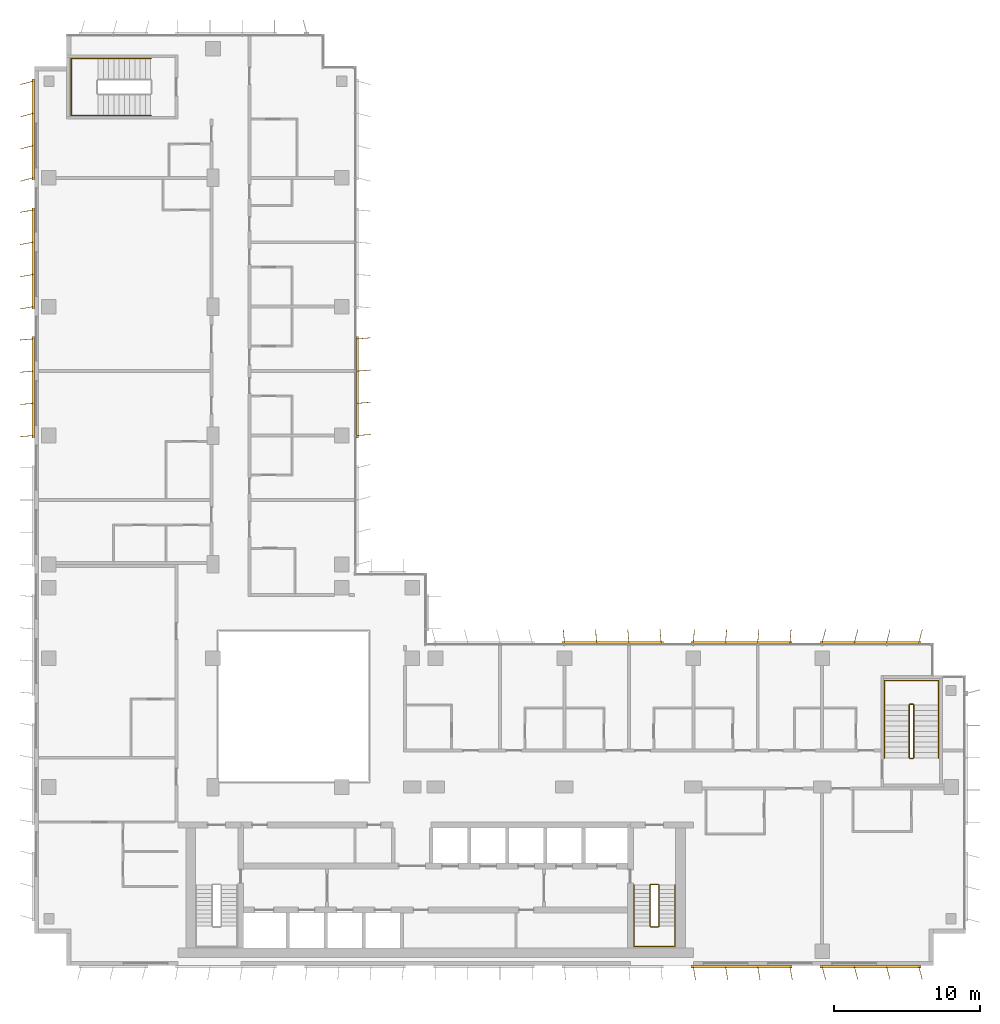
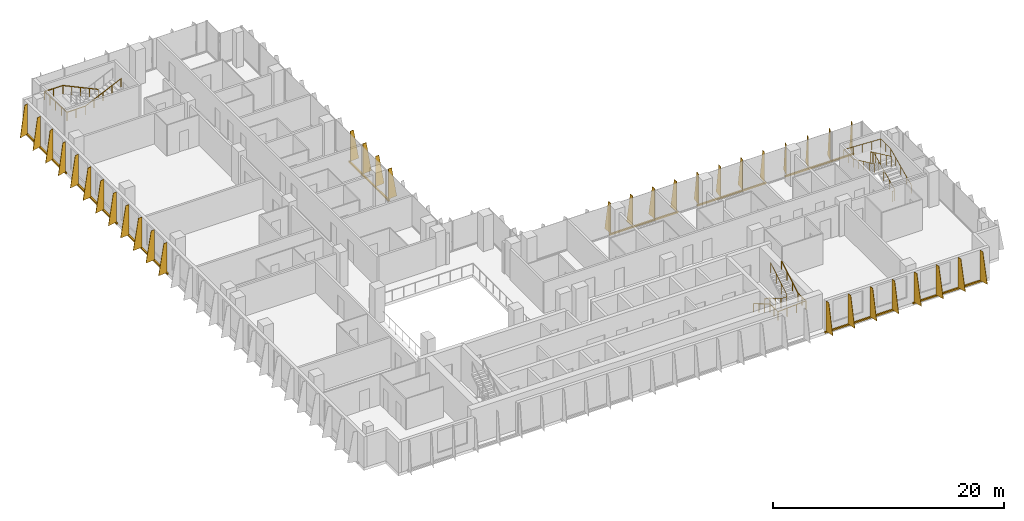
# One storey, part 20 of 21: 9 shading devices, 5 railings.
"""IFC4 building model written with IfcOpenShell, lengths in metres."""

from ifc_helpers import new_model, si_unit, direction, frame, origin, origin_2d, place, context, subcontext, project, spatial, polyline, rectangle, circle, outline, extrude, source, transform, mapped, material, layer, layer_set, type_object, element, save


model = new_model("IFC4")

# Units and contexts
model_context = context("Model", 3, precision=1e-05, world=origin(), true_north=direction((0.0, 1.0)))
body_context = subcontext(model_context, "Body", "Model", "MODEL_VIEW")
ifc_project = project(units=[si_unit("LENGTHUNIT", "METRE"), si_unit("AREAUNIT", "SQUARE_METRE"), si_unit("VOLUMEUNIT", "CUBIC_METRE"), si_unit("PLANEANGLEUNIT", "RADIAN"), si_unit("MASSUNIT", "GRAM", prefix="KILO")], contexts=[model_context])

# Site, building, storey
site_placement = place(None, origin())
site = spatial("IfcSite", under=ifc_project, at=site_placement, CompositionType="ELEMENT")
building_placement = place(site_placement, origin())
building = spatial("IfcBuilding", under=site, at=building_placement, Name="Kemantara Hotel Tower", CompositionType="ELEMENT")
storey_placement = place(building_placement, frame((0.0, 0.0, 219.10009765625)))
storey = spatial("IfcBuildingStorey", under=building, at=storey_placement, Name="L54", CompositionType="ELEMENT", Elevation=219.10009765625)

# Railings
ifc_material_1 = material(Name="Stainless steel balustrade", Category="steel")
railing_type_1 = type_object("IfcRailingType", Name="Stair guard 1100 mm", PredefinedType="GUARDRAIL", material=ifc_material_1)
railing_1_placement = place(storey_placement, frame((42.64990234375, 5.5, 3.699951171875)))
element("IfcRailing", 1, at=railing_1_placement, inside=storey, type_object=railing_type_1, Name="L54 ST2 stair guard 1", PredefinedType="GUARDRAIL", context=body_context, shape_type="SweptSolid", body=[
    extrude(circle(Radius=0.02392578125, at=origin_2d()), frame((0.0, 0.0, 1.076171875), z_axis=(0.0, -0.857242210791, -0.514913383045), x_axis=(1.0, 0.0, 0.0)), (0.0, 0.0, 1.0), 3.266357421875),
    extrude(circle(Radius=0.02392578125, at=origin_2d()), frame((0.0, -2.800048828125, -0.60595703125), z_axis=(-0.273006030465, -0.27434429532, -0.922064485248), x_axis=(0.708833529934, -0.705375805398, 0.0)), (0.0, 0.0, 1.0), 0.182373046875),
    extrude(circle(Radius=0.02392578125, at=origin_2d()), frame((-0.0498046875, -2.85009765625, -0.77392578125), z_axis=(-1.0, 0.0, 0.0), x_axis=(0.0, -1.0, 0.0)), (0.0, 0.0, 1.0), 0.5),
    extrude(circle(Radius=0.02392578125, at=origin_2d()), frame((-0.5498046875, -2.85009765625, -0.77392578125), z_axis=(-0.707106781187, 0.707106781187, 0.0), x_axis=(-0.707106781187, -0.707106781187, 0.0)), (0.0, 0.0, 1.0), 0.07080078125),
    extrude(circle(Radius=0.02392578125, at=origin_2d()), frame((-0.599853515625, -2.800048828125, -0.77392578125), z_axis=(0.0, 0.857242210791, -0.514913383045), x_axis=(-1.0, 0.0, 0.0)), (0.0, 0.0, 1.0), 3.266357421875),
    extrude(circle(Radius=0.02392578125, at=origin_2d()), frame((-0.599853515625, 0.0, -2.4560546875), z_axis=(0.274582412415, 0.274582412415, -0.921525364591), x_axis=(-0.707106781187, 0.707106781187, 0.0)), (0.0, 0.0, 1.0), 0.182373046875),
    extrude(circle(Radius=0.02392578125, at=origin_2d()), frame((-0.5498046875, 0.050048828125, -2.6240234375), z_axis=(1.0, 0.0, 0.0), x_axis=(0.0, 1.0, 0.0)), (0.0, 0.0, 1.0), 0.5),
    extrude(circle(Radius=0.02099609375, at=origin_2d()), origin(), (0.0, 0.0, 1.0), 1.052001953125),
    extrude(circle(Radius=0.02099609375, at=origin_2d()), frame((0.0, -0.933349609375, -0.560546875)), (0.0, 0.0, 1.0), 1.052001953125),
    extrude(circle(Radius=0.02099609375, at=origin_2d()), frame((0.0, -1.86669921875, -1.121337890625)), (0.0, 0.0, 1.0), 1.052001953125),
    extrude(circle(Radius=0.02099609375, at=origin_2d()), frame((0.0, -2.800048828125, -1.681884765625)), (0.0, 0.0, 1.0), 1.052001953125),
    extrude(circle(Radius=0.02099609375, at=origin_2d()), frame((-0.0498046875, -2.85009765625, -1.85009765625)), (0.0, 0.0, 1.0), 1.052001953125),
    extrude(circle(Radius=0.02099609375, at=origin_2d()), frame((-0.5498046875, -2.85009765625, -1.85009765625)), (0.0, 0.0, 1.0), 1.052001953125),
    extrude(circle(Radius=0.02099609375, at=origin_2d()), frame((-0.599853515625, -2.800048828125, -1.85009765625)), (0.0, 0.0, 1.0), 1.052001953125),
    extrude(circle(Radius=0.02099609375, at=origin_2d()), frame((-0.599853515625, -1.86669921875, -2.41064453125)), (0.0, 0.0, 1.0), 1.052001953125),
    extrude(circle(Radius=0.02099609375, at=origin_2d()), frame((-0.599853515625, -0.933349609375, -2.971435546875)), (0.0, 0.0, 1.0), 1.052001953125),
    extrude(circle(Radius=0.02099609375, at=origin_2d()), frame((-0.599853515625, 0.0, -3.531982421875)), (0.0, 0.0, 1.0), 1.052001953125),
    extrude(circle(Radius=0.02099609375, at=origin_2d()), frame((-0.5498046875, 0.050048828125, -3.699951171875)), (0.0, 0.0, 1.0), 1.052001953125),
    extrude(circle(Radius=0.02099609375, at=origin_2d()), frame((-0.0498046875, 0.050048828125, -3.699951171875)), (0.0, 0.0, 1.0), 1.052001953125),
])
railing_2_placement = place(storey_placement, frame((59.75, 14.199951171875, 3.699951171875)))
element("IfcRailing", 2, at=railing_2_placement, inside=storey, type_object=railing_type_1, Name="L54 ST3 stair guard 1", PredefinedType="GUARDRAIL", context=body_context, shape_type="SweptSolid", body=[
    extrude(circle(Radius=0.02392578125, at=origin_2d()), frame((0.0, 0.0, 1.076171875), z_axis=(0.0, 0.906005689286, -0.423265508849), x_axis=(-1.0, 0.0, 0.0)), (0.0, 0.0, 1.0), 3.9736328125),
    extrude(circle(Radius=0.02392578125, at=origin_2d()), frame((0.0, 3.60009765625, -0.60595703125), z_axis=(0.274243871929, 0.274243871929, -0.92172696468), x_axis=(-0.707106781187, 0.707106781187, 0.0)), (0.0, 0.0, 1.0), 0.1826171875),
    extrude(circle(Radius=0.02392578125, at=origin_2d()), frame((0.050048828125, 3.650146484375, -0.77392578125), z_axis=(1.0, 0.0, 0.0), x_axis=(0.0, 1.0, 0.0)), (0.0, 0.0, 1.0), 0.199951171875),
    extrude(circle(Radius=0.02392578125, at=origin_2d()), frame((0.25, 3.650146484375, -0.77392578125), z_axis=(0.707106781187, -0.707106781187, 0.0), x_axis=(0.707106781187, 0.707106781187, 0.0)), (0.0, 0.0, 1.0), 0.07080078125),
    extrude(circle(Radius=0.02392578125, at=origin_2d()), frame((0.300048828125, 3.60009765625, -0.77392578125), z_axis=(0.0, -0.906005689286, -0.423265508849), x_axis=(1.0, 0.0, 0.0)), (0.0, 0.0, 1.0), 3.9736328125),
    extrude(circle(Radius=0.02392578125, at=origin_2d()), frame((0.300048828125, 0.0, -2.4560546875), z_axis=(-0.274582412415, -0.274582412415, -0.921525364591), x_axis=(0.707106781187, -0.707106781187, 0.0)), (0.0, 0.0, 1.0), 0.182373046875),
    extrude(circle(Radius=0.02392578125, at=origin_2d()), frame((0.25, -0.050048828125, -2.6240234375), z_axis=(-1.0, 0.0, 0.0), x_axis=(0.0, -1.0, 0.0)), (0.0, 0.0, 1.0), 0.199951171875),
    extrude(circle(Radius=0.02099609375, at=origin_2d()), origin(), (0.0, 0.0, 1.0), 1.052001953125),
    extrude(circle(Radius=0.02099609375, at=origin_2d()), frame((0.0, 0.89990234375, -0.42041015625)), (0.0, 0.0, 1.0), 1.052001953125),
    extrude(circle(Radius=0.02099609375, at=origin_2d()), frame((0.0, 1.800048828125, -0.8408203125)), (0.0, 0.0, 1.0), 1.052001953125),
    extrude(circle(Radius=0.02099609375, at=origin_2d()), frame((0.0, 2.7001953125, -1.261474609375)), (0.0, 0.0, 1.0), 1.052001953125),
    extrude(circle(Radius=0.02099609375, at=origin_2d()), frame((0.0, 3.60009765625, -1.681884765625)), (0.0, 0.0, 1.0), 1.052001953125),
    extrude(circle(Radius=0.02099609375, at=origin_2d()), frame((0.050048828125, 3.650146484375, -1.85009765625)), (0.0, 0.0, 1.0), 1.052001953125),
    extrude(circle(Radius=0.02099609375, at=origin_2d()), frame((0.25, 3.650146484375, -1.85009765625)), (0.0, 0.0, 1.0), 1.052001953125),
    extrude(circle(Radius=0.02099609375, at=origin_2d()), frame((0.300048828125, 3.60009765625, -1.85009765625)), (0.0, 0.0, 1.0), 1.052001953125),
    extrude(circle(Radius=0.02099609375, at=origin_2d()), frame((0.300048828125, 2.7001953125, -2.2705078125)), (0.0, 0.0, 1.0), 1.052001953125),
    extrude(circle(Radius=0.02099609375, at=origin_2d()), frame((0.300048828125, 1.800048828125, -2.69091796875)), (0.0, 0.0, 1.0), 1.052001953125),
    extrude(circle(Radius=0.02099609375, at=origin_2d()), frame((0.300048828125, 0.89990234375, -3.111572265625)), (0.0, 0.0, 1.0), 1.052001953125),
    extrude(circle(Radius=0.02099609375, at=origin_2d()), frame((0.300048828125, 0.0, -3.531982421875)), (0.0, 0.0, 1.0), 1.052001953125),
    extrude(circle(Radius=0.02099609375, at=origin_2d()), frame((0.25, -0.050048828125, -3.699951171875)), (0.0, 0.0, 1.0), 1.052001953125),
    extrude(circle(Radius=0.02099609375, at=origin_2d()), frame((0.050048828125, -0.050048828125, -3.699951171875)), (0.0, 0.0, 1.0), 1.052001953125),
])
railing_type_2 = type_object("IfcRailingType", Name="Stair handrail 900 mm", PredefinedType="HANDRAIL", material=ifc_material_1)
railing_3_placement = place(storey_placement, frame((40.949951171875, 5.5, 0.16796875)))
element("IfcRailing", 3, at=railing_3_placement, inside=storey, type_object=railing_type_2, Name="L54 ST2 stair handrail 1", PredefinedType="HANDRAIL", context=body_context, shape_type="SweptSolid", body=[
    extrude(circle(Radius=0.02392578125, at=origin_2d()), frame((0.0, 0.0, 0.8759765625), z_axis=(0.0, -0.857242210791, 0.514913383045), x_axis=(1.0, 0.0, 0.0)), (0.0, 0.0, 1.0), 3.266357421875),
    extrude(circle(Radius=0.02392578125, at=origin_2d()), frame((0.0, -2.800048828125, 2.5576171875), z_axis=(0.0, -1.0, 0.0), x_axis=(1.0, 0.0, 0.0)), (0.0, 0.0, 1.0), 1.3798828125),
    extrude(circle(Radius=0.02392578125, at=origin_2d()), frame((0.0, -4.179931640625, 2.5576171875), z_axis=(0.998200367801, 0.0, 0.059966871865), x_axis=(0.0, 1.0, 0.0)), (0.0, 0.0, 1.0), 2.80517578125),
    extrude(circle(Radius=0.02392578125, at=origin_2d()), frame((2.800048828125, -4.179931640625, 2.72607421875), z_axis=(0.0, 1.0, 0.0), x_axis=(-1.0, 0.0, 0.0)), (0.0, 0.0, 1.0), 1.3798828125),
    extrude(circle(Radius=0.02392578125, at=origin_2d()), frame((2.800048828125, -2.800048828125, 2.72607421875), z_axis=(0.0, 0.857242210791, 0.514913383045), x_axis=(-1.0, 0.0, 0.0)), (0.0, 0.0, 1.0), 3.266357421875),
    extrude(circle(Radius=0.02099609375, at=origin_2d()), origin(), (0.0, 0.0, 1.0), 0.851806640625),
    extrude(circle(Radius=0.02099609375, at=origin_2d()), frame((0.0, -0.933349609375, 0.560546875)), (0.0, 0.0, 1.0), 0.851806640625),
    extrude(circle(Radius=0.02099609375, at=origin_2d()), frame((0.0, -1.86669921875, 1.121337890625)), (0.0, 0.0, 1.0), 0.851806640625),
    extrude(circle(Radius=0.02099609375, at=origin_2d()), frame((0.0, -2.800048828125, 1.681884765625)), (0.0, 0.0, 1.0), 0.851806640625),
    extrude(circle(Radius=0.02099609375, at=origin_2d()), frame((0.0, -3.489990234375, 1.681884765625)), (0.0, 0.0, 1.0), 0.851806640625),
    extrude(circle(Radius=0.02099609375, at=origin_2d()), frame((0.0, -4.179931640625, 1.681884765625)), (0.0, 0.0, 1.0), 0.851806640625),
    extrude(circle(Radius=0.02099609375, at=origin_2d()), frame((0.933349609375, -4.179931640625, 1.738037109375)), (0.0, 0.0, 1.0), 0.851806640625),
    extrude(circle(Radius=0.02099609375, at=origin_2d()), frame((1.86669921875, -4.179931640625, 1.7939453125)), (0.0, 0.0, 1.0), 0.851806640625),
    extrude(circle(Radius=0.02099609375, at=origin_2d()), frame((2.800048828125, -4.179931640625, 1.85009765625)), (0.0, 0.0, 1.0), 0.851806640625),
    extrude(circle(Radius=0.02099609375, at=origin_2d()), frame((2.800048828125, -3.489990234375, 1.85009765625)), (0.0, 0.0, 1.0), 0.851806640625),
    extrude(circle(Radius=0.02099609375, at=origin_2d()), frame((2.800048828125, -2.800048828125, 1.85009765625)), (0.0, 0.0, 1.0), 0.851806640625),
    extrude(circle(Radius=0.02099609375, at=origin_2d()), frame((2.800048828125, -1.86669921875, 2.41064453125)), (0.0, 0.0, 1.0), 0.851806640625),
    extrude(circle(Radius=0.02099609375, at=origin_2d()), frame((2.800048828125, -0.933349609375, 2.971435546875)), (0.0, 0.0, 1.0), 0.851806640625),
    extrude(circle(Radius=0.02099609375, at=origin_2d()), frame((2.800048828125, 0.0, 3.531982421875)), (0.0, 0.0, 1.0), 0.851806640625),
])
railing_4_placement = place(storey_placement, frame((61.75, 14.199951171875, 0.16796875)))
element("IfcRailing", 4, at=railing_4_placement, inside=storey, type_object=railing_type_2, Name="L54 ST3 stair handrail 1", PredefinedType="HANDRAIL", context=body_context, shape_type="SweptSolid", body=[
    extrude(circle(Radius=0.02392578125, at=origin_2d()), frame((0.0, 0.0, 0.8759765625), z_axis=(0.0, 0.906005689286, 0.423265508849), x_axis=(-1.0, 0.0, 0.0)), (0.0, 0.0, 1.0), 3.9736328125),
    extrude(circle(Radius=0.02392578125, at=origin_2d()), frame((0.0, 3.60009765625, 2.5576171875), z_axis=(0.0, 1.0, 0.0), x_axis=(-1.0, 0.0, 0.0)), (0.0, 0.0, 1.0), 1.679931640625),
    extrude(circle(Radius=0.02392578125, at=origin_2d()), frame((0.0, 5.280029296875, 2.5576171875), z_axis=(-0.998968132438, 0.0, 0.045416631029), x_axis=(0.0, -1.0, 0.0)), (0.0, 0.0, 1.0), 3.703857421875),
    extrude(circle(Radius=0.02392578125, at=origin_2d()), frame((-3.699951171875, 5.280029296875, 2.72607421875), z_axis=(0.0, -1.0, 0.0), x_axis=(1.0, 0.0, 0.0)), (0.0, 0.0, 1.0), 1.679931640625),
    extrude(circle(Radius=0.02392578125, at=origin_2d()), frame((-3.699951171875, 3.60009765625, 2.72607421875), z_axis=(0.0, -0.906005689286, 0.423265508849), x_axis=(1.0, 0.0, 0.0)), (0.0, 0.0, 1.0), 3.9736328125),
    extrude(circle(Radius=0.02099609375, at=origin_2d()), origin(), (0.0, 0.0, 1.0), 0.851806640625),
    extrude(circle(Radius=0.02099609375, at=origin_2d()), frame((0.0, 0.89990234375, 0.42041015625)), (0.0, 0.0, 1.0), 0.851806640625),
    extrude(circle(Radius=0.02099609375, at=origin_2d()), frame((0.0, 1.800048828125, 0.8408203125)), (0.0, 0.0, 1.0), 0.851806640625),
    extrude(circle(Radius=0.02099609375, at=origin_2d()), frame((0.0, 2.7001953125, 1.261474609375)), (0.0, 0.0, 1.0), 0.851806640625),
    extrude(circle(Radius=0.02099609375, at=origin_2d()), frame((0.0, 3.60009765625, 1.681884765625)), (0.0, 0.0, 1.0), 0.851806640625),
    extrude(circle(Radius=0.02099609375, at=origin_2d()), frame((0.0, 4.43994140625, 1.681884765625)), (0.0, 0.0, 1.0), 0.851806640625),
    extrude(circle(Radius=0.02099609375, at=origin_2d()), frame((0.0, 5.280029296875, 1.681884765625)), (0.0, 0.0, 1.0), 0.851806640625),
    extrude(circle(Radius=0.02099609375, at=origin_2d()), frame((-0.925048828125, 5.280029296875, 1.723876953125)), (0.0, 0.0, 1.0), 0.851806640625),
    extrude(circle(Radius=0.02099609375, at=origin_2d()), frame((-1.85009765625, 5.280029296875, 1.76611328125)), (0.0, 0.0, 1.0), 0.851806640625),
    extrude(circle(Radius=0.02099609375, at=origin_2d()), frame((-2.77490234375, 5.280029296875, 1.80810546875)), (0.0, 0.0, 1.0), 0.851806640625),
    extrude(circle(Radius=0.02099609375, at=origin_2d()), frame((-3.699951171875, 5.280029296875, 1.85009765625)), (0.0, 0.0, 1.0), 0.851806640625),
    extrude(circle(Radius=0.02099609375, at=origin_2d()), frame((-3.699951171875, 4.43994140625, 1.85009765625)), (0.0, 0.0, 1.0), 0.851806640625),
    extrude(circle(Radius=0.02099609375, at=origin_2d()), frame((-3.699951171875, 3.60009765625, 1.85009765625)), (0.0, 0.0, 1.0), 0.851806640625),
    extrude(circle(Radius=0.02099609375, at=origin_2d()), frame((-3.699951171875, 2.7001953125, 2.2705078125)), (0.0, 0.0, 1.0), 0.851806640625),
    extrude(circle(Radius=0.02099609375, at=origin_2d()), frame((-3.699951171875, 1.800048828125, 2.69091796875)), (0.0, 0.0, 1.0), 0.851806640625),
    extrude(circle(Radius=0.02099609375, at=origin_2d()), frame((-3.699951171875, 0.89990234375, 3.111572265625)), (0.0, 0.0, 1.0), 0.851806640625),
    extrude(circle(Radius=0.02099609375, at=origin_2d()), frame((-3.699951171875, 0.0, 3.531982421875)), (0.0, 0.0, 1.0), 0.851806640625),
])
railing_5_placement = place(storey_placement, frame((7.949951171875, 61.949951171875, 0.16796875)))
element("IfcRailing", 5, at=railing_5_placement, inside=storey, type_object=railing_type_2, Name="L54 ST4 stair handrail 1", PredefinedType="HANDRAIL", context=body_context, shape_type="SweptSolid", body=[
    extrude(circle(Radius=0.02392578125, at=origin_2d()), frame((0.0, 0.0, 0.8759765625), z_axis=(-0.905994681025, 0.0, 0.423289071386), x_axis=(0.0, -1.0, 0.0)), (0.0, 0.0, 1.0), 3.973388671875),
    extrude(circle(Radius=0.02392578125, at=origin_2d()), frame((-3.599853515625, 0.0, 2.5576171875), z_axis=(-1.0, 0.0, 0.0), x_axis=(0.0, -1.0, 0.0)), (0.0, 0.0, 1.0), 1.830078125),
    extrude(circle(Radius=0.02392578125, at=origin_2d()), frame((-5.429931640625, 0.0, 2.5576171875), z_axis=(0.0, -0.999071085748, 0.043092523981), x_axis=(1.0, 0.0, 0.0)), (0.0, 0.0, 1.0), 3.903564453125),
    extrude(circle(Radius=0.02392578125, at=origin_2d()), frame((-5.429931640625, -3.89990234375, 2.72607421875), z_axis=(1.0, 0.0, 0.0), x_axis=(0.0, 1.0, 0.0)), (0.0, 0.0, 1.0), 1.830078125),
    extrude(circle(Radius=0.02392578125, at=origin_2d()), frame((-3.599853515625, -3.89990234375, 2.72607421875), z_axis=(0.905994681025, 0.0, 0.423289071386), x_axis=(0.0, 1.0, 0.0)), (0.0, 0.0, 1.0), 3.973388671875),
    extrude(circle(Radius=0.02099609375, at=origin_2d()), origin(), (0.0, 0.0, 1.0), 0.851806640625),
    extrude(circle(Radius=0.02099609375, at=origin_2d()), frame((-0.89990234375, 0.0, 0.42041015625)), (0.0, 0.0, 1.0), 0.851806640625),
    extrude(circle(Radius=0.02099609375, at=origin_2d()), frame((-1.7998046875, 0.0, 0.8408203125)), (0.0, 0.0, 1.0), 0.851806640625),
    extrude(circle(Radius=0.02099609375, at=origin_2d()), frame((-2.699951171875, 0.0, 1.261474609375)), (0.0, 0.0, 1.0), 0.851806640625),
    extrude(circle(Radius=0.02099609375, at=origin_2d()), frame((-3.599853515625, 0.0, 1.681884765625)), (0.0, 0.0, 1.0), 0.851806640625),
    extrude(circle(Radius=0.02099609375, at=origin_2d()), frame((-4.514892578125, 0.0, 1.681884765625)), (0.0, 0.0, 1.0), 0.851806640625),
    extrude(circle(Radius=0.02099609375, at=origin_2d()), frame((-5.429931640625, 0.0, 1.681884765625)), (0.0, 0.0, 1.0), 0.851806640625),
    extrude(circle(Radius=0.02099609375, at=origin_2d()), frame((-5.429931640625, -0.97509765625, 1.723876953125)), (0.0, 0.0, 1.0), 0.851806640625),
    extrude(circle(Radius=0.02099609375, at=origin_2d()), frame((-5.429931640625, -1.949951171875, 1.76611328125)), (0.0, 0.0, 1.0), 0.851806640625),
    extrude(circle(Radius=0.02099609375, at=origin_2d()), frame((-5.429931640625, -2.9248046875, 1.80810546875)), (0.0, 0.0, 1.0), 0.851806640625),
    extrude(circle(Radius=0.02099609375, at=origin_2d()), frame((-5.429931640625, -3.89990234375, 1.85009765625)), (0.0, 0.0, 1.0), 0.851806640625),
    extrude(circle(Radius=0.02099609375, at=origin_2d()), frame((-4.514892578125, -3.89990234375, 1.85009765625)), (0.0, 0.0, 1.0), 0.851806640625),
    extrude(circle(Radius=0.02099609375, at=origin_2d()), frame((-3.599853515625, -3.89990234375, 1.85009765625)), (0.0, 0.0, 1.0), 0.851806640625),
    extrude(circle(Radius=0.02099609375, at=origin_2d()), frame((-2.699951171875, -3.89990234375, 2.2705078125)), (0.0, 0.0, 1.0), 0.851806640625),
    extrude(circle(Radius=0.02099609375, at=origin_2d()), frame((-1.7998046875, -3.89990234375, 2.69091796875)), (0.0, 0.0, 1.0), 0.851806640625),
    extrude(circle(Radius=0.02099609375, at=origin_2d()), frame((-0.89990234375, -3.89990234375, 3.111572265625)), (0.0, 0.0, 1.0), 0.851806640625),
    extrude(circle(Radius=0.02099609375, at=origin_2d()), frame((0.0, -3.89990234375, 3.531982421875)), (0.0, 0.0, 1.0), 0.851806640625),
])

# Shading devices
ifc_material_2 = material(Name="Perforated aluminium plate 4 mm bronze anodised", Category="aluminium")
ifc_layer_1 = layer(ifc_material_2, 0.0400390625)
ifc_layer_set_1 = layer_set([ifc_layer_1], Name="Perforated aluminium plate 4 mm bronze anodised")
shading_device_type_1 = type_object("IfcShadingDeviceType", Name="SCREEN FIN CASSETTE, 4 BLADES AT -5.0 DEG, 3200 HIGH", PredefinedType="USERDEFINED", material=ifc_layer_set_1)
shared_shape_1 = source(origin(), body_context, "Body", "SweptSolid", [
    extrude(rectangle(XDim=6.89990234375, YDim=0.14990234375, at=origin_2d()), frame((3.300048828125, -0.074951171875, -0.14990234375), z_axis=(0.0, 0.0, 1.0), x_axis=(1.0, 0.0, 0.0)), (0.0, 0.0, 1.0), 0.14990234375),
    extrude(outline(polyline([(0.0, 0.0), (0.89990234375, 0.0), (0.35009765625, 3.199951171875), (0.0, 3.199951171875), (0.0, 0.0)])), frame((0.02001953125, -0.07666015625, 0.0), z_axis=(-0.996376129781, 0.085056498884, 0.0), x_axis=(-0.085056498884, -0.996376129781, 0.0)), (0.0, 0.0, 1.0), 0.040283203125),
    extrude(outline(polyline([(0.0, 0.0), (0.89990234375, 0.0), (0.35009765625, 3.199951171875), (0.0, 3.199951171875), (0.0, 0.0)])), frame((2.219970703125, -0.07666015625, 0.0), z_axis=(-0.996331773833, 0.085574508182, 0.0), x_axis=(-0.085574508182, -0.996331773833, 0.0)), (0.0, 0.0, 1.0), 0.0400390625),
    extrude(outline(polyline([(0.0, 0.0), (0.89990234375, 0.0), (0.35009765625, 3.199951171875), (0.0, 3.199951171875), (0.0, 0.0)])), frame((4.419921875, -0.07666015625, 0.0), z_axis=(-0.996331773833, 0.085574508182, 0.0), x_axis=(-0.085574508182, -0.996331773833, 0.0)), (0.0, 0.0, 1.0), 0.0400390625),
    extrude(outline(polyline([(0.0, 0.0), (0.89990234375, 0.0), (0.35009765625, 3.199951171875), (0.0, 3.199951171875), (0.0, 0.0)])), frame((6.619873046875, -0.07666015625, 0.0), z_axis=(-0.996331773833, 0.085574508182, 0.0), x_axis=(-0.085574508182, -0.996331773833, 0.0)), (0.0, 0.0, 1.0), 0.0400390625),
])
shading_device_1_placement = place(storey_placement, frame((51.60009765625, 22.0, 0.099853515625), z_axis=(0.0, 0.0, 1.0), x_axis=(-1.0, 0.0, 0.0)))
element("IfcShadingDevice", 6, at=shading_device_1_placement, inside=storey, type_object=shading_device_type_1, Name="SCREEN FIN CASSETTE L54 T3-R14-2", ObjectType="SCREEN FIN", PredefinedType="USERDEFINED", context=body_context, shape_type="MappedRepresentation", body=[
    mapped(shared_shape_1, transform((0.0, 0.0, 0.0))),
])
ifc_layer_2 = layer(ifc_material_2, 0.0400390625)
ifc_layer_set_2 = layer_set([ifc_layer_2], Name="Perforated aluminium plate 4 mm bronze anodised")
shading_device_type_2 = type_object("IfcShadingDeviceType", Name="SCREEN FIN CASSETTE, 4 BLADES AT +5.0 DEG, 3200 HIGH", PredefinedType="USERDEFINED", material=ifc_layer_set_2)
shared_shape_2 = source(origin(), body_context, "Body", "SweptSolid", [
    extrude(rectangle(XDim=6.89990234375, YDim=0.14990234375, at=origin_2d()), frame((3.300048828125, -0.074951171875, -0.14990234375), z_axis=(0.0, 0.0, 1.0), x_axis=(1.0, 0.0, 0.0)), (0.0, 0.0, 1.0), 0.14990234375),
    extrude(outline(polyline([(0.0, 0.0), (0.89990234375, 0.0), (0.35009765625, 3.199951171875), (0.0, 3.199951171875), (0.0, 0.0)])), frame((0.02001953125, -0.0732421875, 0.0), z_axis=(-0.996376129781, -0.085056498884, 0.0), x_axis=(0.085056498884, -0.996376129781, 0.0)), (0.0, 0.0, 1.0), 0.040283203125),
    extrude(outline(polyline([(0.0, 0.0), (0.89990234375, 0.0), (0.35009765625, 3.199951171875), (0.0, 3.199951171875), (0.0, 0.0)])), frame((2.219970703125, -0.0732421875, 0.0), z_axis=(-0.996331773833, -0.085574508182, 0.0), x_axis=(0.085574508182, -0.996331773833, 0.0)), (0.0, 0.0, 1.0), 0.0400390625),
    extrude(outline(polyline([(0.0, 0.0), (0.89990234375, 0.0), (0.35009765625, 3.199951171875), (0.0, 3.199951171875), (0.0, 0.0)])), frame((4.419921875, -0.0732421875, 0.0), z_axis=(-0.996331773833, -0.085574508182, 0.0), x_axis=(0.085574508182, -0.996331773833, 0.0)), (0.0, 0.0, 1.0), 0.0400390625),
    extrude(outline(polyline([(0.0, 0.0), (0.89990234375, 0.0), (0.35009765625, 3.199951171875), (0.0, 3.199951171875), (0.0, 0.0)])), frame((6.619873046875, -0.0732421875, 0.0), z_axis=(-0.996331773833, -0.085574508182, 0.0), x_axis=(0.085574508182, -0.996331773833, 0.0)), (0.0, 0.0, 1.0), 0.0400390625),
])
for number, where, z_axis, x_axis, name in (
    (7, (0.0, 42.800048828125, 0.099853515625), (0.0, 0.0, 1.0), (0.0, -1.0, 0.0), "SCREEN FIN CASSETTE L54 T3-R05-3"),
    (8, (42.800048828125, 22.0, 0.099853515625), (0.0, 0.0, 1.0), (-1.0, 0.0, 0.0), "SCREEN FIN CASSETTE L54 T3-R14-3"),
    (9, (22.0, 36.199951171875, 0.099853515625), (0.0, 0.0, 1.0), (0.0, 1.0, 0.0), "SCREEN FIN CASSETTE L54 T3-R17-2"),
):
    element("IfcShadingDevice", number, at=place(storey_placement, frame(where, z_axis=z_axis, x_axis=x_axis)), inside=storey, type_object=shading_device_type_2, Name=name, ObjectType="SCREEN FIN", PredefinedType="USERDEFINED", context=body_context, shape_type="MappedRepresentation", body=[
        mapped(shared_shape_2, transform((0.0, 0.0, 0.0))),
    ])
ifc_layer_3 = layer(ifc_material_2, 0.0400390625)
ifc_layer_set_3 = layer_set([ifc_layer_3], Name="Perforated aluminium plate 4 mm bronze anodised")
shading_device_type_3 = type_object("IfcShadingDeviceType", Name="SCREEN FIN CASSETTE, 4 BLADES AT +10.0 DEG, 3200 HIGH", PredefinedType="USERDEFINED", material=ifc_layer_set_3)
shared_shape_3 = source(origin(), body_context, "Body", "SweptSolid", [
    extrude(rectangle(XDim=6.89990234375, YDim=0.14990234375, at=origin_2d()), frame((3.300048828125, -0.074951171875, -0.14990234375), z_axis=(0.0, 0.0, 1.0), x_axis=(1.0, 0.0, 0.0)), (0.0, 0.0, 1.0), 0.14990234375),
    extrude(outline(polyline([(0.0, 0.0), (0.89990234375, 0.0), (0.35009765625, 3.199951171875), (0.0, 3.199951171875), (0.0, 0.0)])), frame((0.019775390625, -0.071533203125, 0.0), z_axis=(-0.985389793052, -0.170314285219, 0.0), x_axis=(0.170314285219, -0.985389793052, 0.0)), (0.0, 0.0, 1.0), 0.0400390625),
    extrude(outline(polyline([(0.0, 0.0), (0.89990234375, 0.0), (0.35009765625, 3.199951171875), (0.0, 3.199951171875), (0.0, 0.0)])), frame((2.2197265625, -0.071533203125, 0.0), z_axis=(-0.98521175482, -0.171341174751, 0.0), x_axis=(0.171341174751, -0.98521175482, 0.0)), (0.0, 0.0, 1.0), 0.039794921875),
    extrude(outline(polyline([(0.0, 0.0), (0.89990234375, 0.0), (0.35009765625, 3.199951171875), (0.0, 3.199951171875), (0.0, 0.0)])), frame((4.419677734375, -0.071533203125, 0.0), z_axis=(-0.98521175482, -0.171341174751, 0.0), x_axis=(0.171341174751, -0.98521175482, 0.0)), (0.0, 0.0, 1.0), 0.039794921875),
    extrude(outline(polyline([(0.0, 0.0), (0.89990234375, 0.0), (0.35009765625, 3.199951171875), (0.0, 3.199951171875), (0.0, 0.0)])), frame((6.61962890625, -0.071533203125, 0.0), z_axis=(-0.98521175482, -0.171341174751, 0.0), x_axis=(0.171341174751, -0.98521175482, 0.0)), (0.0, 0.0, 1.0), 0.039794921875),
])
for number, where, z_axis, x_axis, name in (
    (10, (0.0, 51.60009765625, 0.099853515625), (0.0, 0.0, 1.0), (0.0, -1.0, 0.0), "SCREEN FIN CASSETTE L54 T3-R05-2"),
    (11, (45.0, 0.0, 0.099853515625), (0.0, 0.0, 1.0), (1.0, 0.0, 0.0), "SCREEN FIN CASSETTE L54 T3-R08-6"),
):
    element("IfcShadingDevice", number, at=place(storey_placement, frame(where, z_axis=z_axis, x_axis=x_axis)), inside=storey, type_object=shading_device_type_3, Name=name, ObjectType="SCREEN FIN", PredefinedType="USERDEFINED", context=body_context, shape_type="MappedRepresentation", body=[
        mapped(shared_shape_3, transform((0.0, 0.0, 0.0))),
    ])
ifc_layer_4 = layer(ifc_material_2, 0.0400390625)
ifc_layer_set_4 = layer_set([ifc_layer_4], Name="Perforated aluminium plate 4 mm bronze anodised")
shading_device_type_4 = type_object("IfcShadingDeviceType", Name="SCREEN FIN CASSETTE, 4 BLADES AT +15.0 DEG, 3200 HIGH", PredefinedType="USERDEFINED", material=ifc_layer_set_4)
shared_shape_4 = source(origin(), body_context, "Body", "SweptSolid", [
    extrude(rectangle(XDim=6.89990234375, YDim=0.14990234375, at=origin_2d()), frame((3.300048828125, -0.074951171875, -0.14990234375), z_axis=(0.0, 0.0, 1.0), x_axis=(1.0, 0.0, 0.0)), (0.0, 0.0, 1.0), 0.14990234375),
    extrude(outline(polyline([(0.0, 0.0), (0.89990234375, 0.0), (0.35009765625, 3.199951171875), (0.0, 3.199951171875), (0.0, 0.0)])), frame((0.019287109375, -0.06982421875, 0.0), z_axis=(-0.966437683387, -0.256901156343, 0.0), x_axis=(0.256901156343, -0.966437683387, 0.0)), (0.0, 0.0, 1.0), 0.039794921875),
    extrude(outline(polyline([(0.0, 0.0), (0.89990234375, 0.0), (0.35009765625, 3.199951171875), (0.0, 3.199951171875), (0.0, 0.0)])), frame((2.21923828125, -0.06982421875, 0.0), z_axis=(-0.966437683387, -0.256901156343, 0.0), x_axis=(0.256901156343, -0.966437683387, 0.0)), (0.0, 0.0, 1.0), 0.039794921875),
    extrude(outline(polyline([(0.0, 0.0), (0.89990234375, 0.0), (0.35009765625, 3.199951171875), (0.0, 3.199951171875), (0.0, 0.0)])), frame((4.41943359375, -0.06982421875, 0.0), z_axis=(-0.966837822169, -0.255391122837, 0.0), x_axis=(0.255391122837, -0.966837822169, 0.0)), (0.0, 0.0, 1.0), 0.0400390625),
    extrude(outline(polyline([(0.0, 0.0), (0.89990234375, 0.0), (0.35009765625, 3.199951171875), (0.0, 3.199951171875), (0.0, 0.0)])), frame((6.619384765625, -0.06982421875, 0.0), z_axis=(-0.966837822169, -0.255391122837, 0.0), x_axis=(0.255391122837, -0.966837822169, 0.0)), (0.0, 0.0, 1.0), 0.0400390625),
])
for number, where, z_axis, x_axis, name in (
    (12, (0.0, 60.39990234375, 0.099853515625), (0.0, 0.0, 1.0), (0.0, -1.0, 0.0), "SCREEN FIN CASSETTE L54 T3-R05-1"),
    (13, (53.800048828125, 0.0, 0.099853515625), (0.0, 0.0, 1.0), (1.0, 0.0, 0.0), "SCREEN FIN CASSETTE L54 T3-R08-7"),
):
    element("IfcShadingDevice", number, at=place(storey_placement, frame(where, z_axis=z_axis, x_axis=x_axis)), inside=storey, type_object=shading_device_type_4, Name=name, ObjectType="SCREEN FIN", PredefinedType="USERDEFINED", context=body_context, shape_type="MappedRepresentation", body=[
        mapped(shared_shape_4, transform((0.0, 0.0, 0.0))),
    ])
ifc_layer_5 = layer(ifc_material_2, 0.0400390625)
ifc_layer_set_5 = layer_set([ifc_layer_5], Name="Perforated aluminium plate 4 mm bronze anodised")
shading_device_type_5 = type_object("IfcShadingDeviceType", Name="SCREEN FIN CASSETTE, 4 BLADES AT -15.0 DEG, 3200 HIGH", PredefinedType="USERDEFINED", material=ifc_layer_set_5)
shared_shape_5 = source(origin(), body_context, "Body", "SweptSolid", [
    extrude(rectangle(XDim=6.89990234375, YDim=0.14990234375, at=origin_2d()), frame((3.300048828125, -0.074951171875, -0.14990234375), z_axis=(0.0, 0.0, 1.0), x_axis=(1.0, 0.0, 0.0)), (0.0, 0.0, 1.0), 0.14990234375),
    extrude(outline(polyline([(0.0, 0.0), (0.89990234375, 0.0), (0.35009765625, 3.199951171875), (0.0, 3.199951171875), (0.0, 0.0)])), frame((0.019287109375, -0.080078125, 0.0), z_axis=(-0.966437683387, 0.256901156343, 0.0), x_axis=(-0.256901156343, -0.966437683387, 0.0)), (0.0, 0.0, 1.0), 0.039794921875),
    extrude(outline(polyline([(0.0, 0.0), (0.89990234375, 0.0), (0.35009765625, 3.199951171875), (0.0, 3.199951171875), (0.0, 0.0)])), frame((2.21923828125, -0.080078125, 0.0), z_axis=(-0.966437683387, 0.256901156343, 0.0), x_axis=(-0.256901156343, -0.966437683387, 0.0)), (0.0, 0.0, 1.0), 0.039794921875),
    extrude(outline(polyline([(0.0, 0.0), (0.89990234375, 0.0), (0.35009765625, 3.199951171875), (0.0, 3.199951171875), (0.0, 0.0)])), frame((4.41943359375, -0.080078125, 0.0), z_axis=(-0.966837822169, 0.255391122837, 0.0), x_axis=(-0.255391122837, -0.966837822169, 0.0)), (0.0, 0.0, 1.0), 0.0400390625),
    extrude(outline(polyline([(0.0, 0.0), (0.89990234375, 0.0), (0.35009765625, 3.199951171875), (0.0, 3.199951171875), (0.0, 0.0)])), frame((6.619384765625, -0.080078125, 0.0), z_axis=(-0.966837822169, 0.255391122837, 0.0), x_axis=(-0.255391122837, -0.966837822169, 0.0)), (0.0, 0.0, 1.0), 0.0400390625),
])
shading_device_2_placement = place(storey_placement, frame((60.39990234375, 22.0, 0.099853515625), z_axis=(0.0, 0.0, 1.0), x_axis=(-1.0, 0.0, 0.0)))
element("IfcShadingDevice", 14, at=shading_device_2_placement, inside=storey, type_object=shading_device_type_5, Name="SCREEN FIN CASSETTE L54 T3-R14-1", ObjectType="SCREEN FIN", PredefinedType="USERDEFINED", context=body_context, shape_type="MappedRepresentation", body=[
    mapped(shared_shape_5, transform((0.0, 0.0, 0.0))),
])

save(model, "model.ifc")
